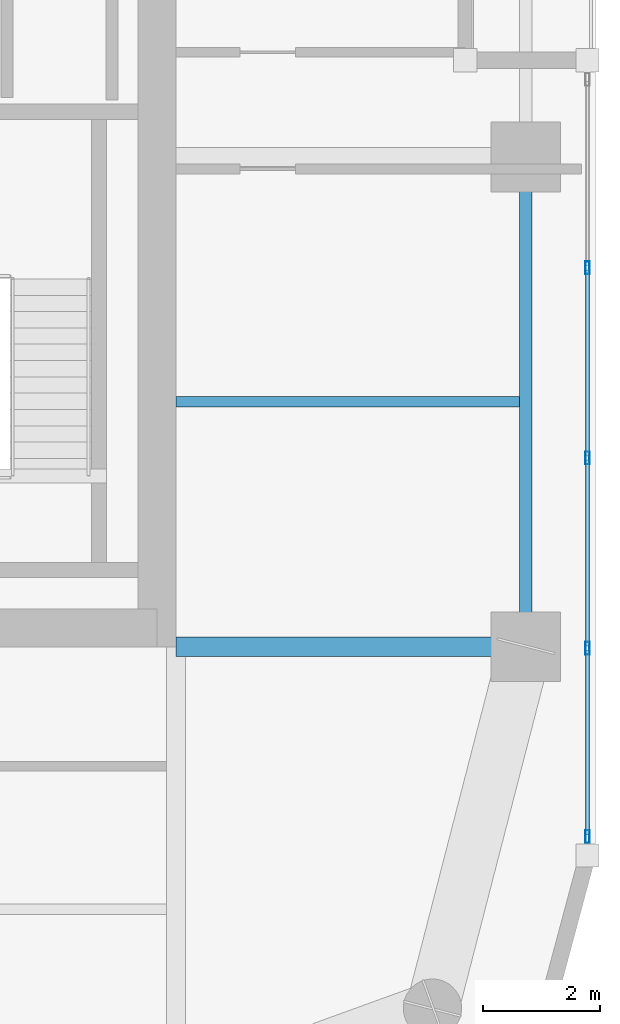
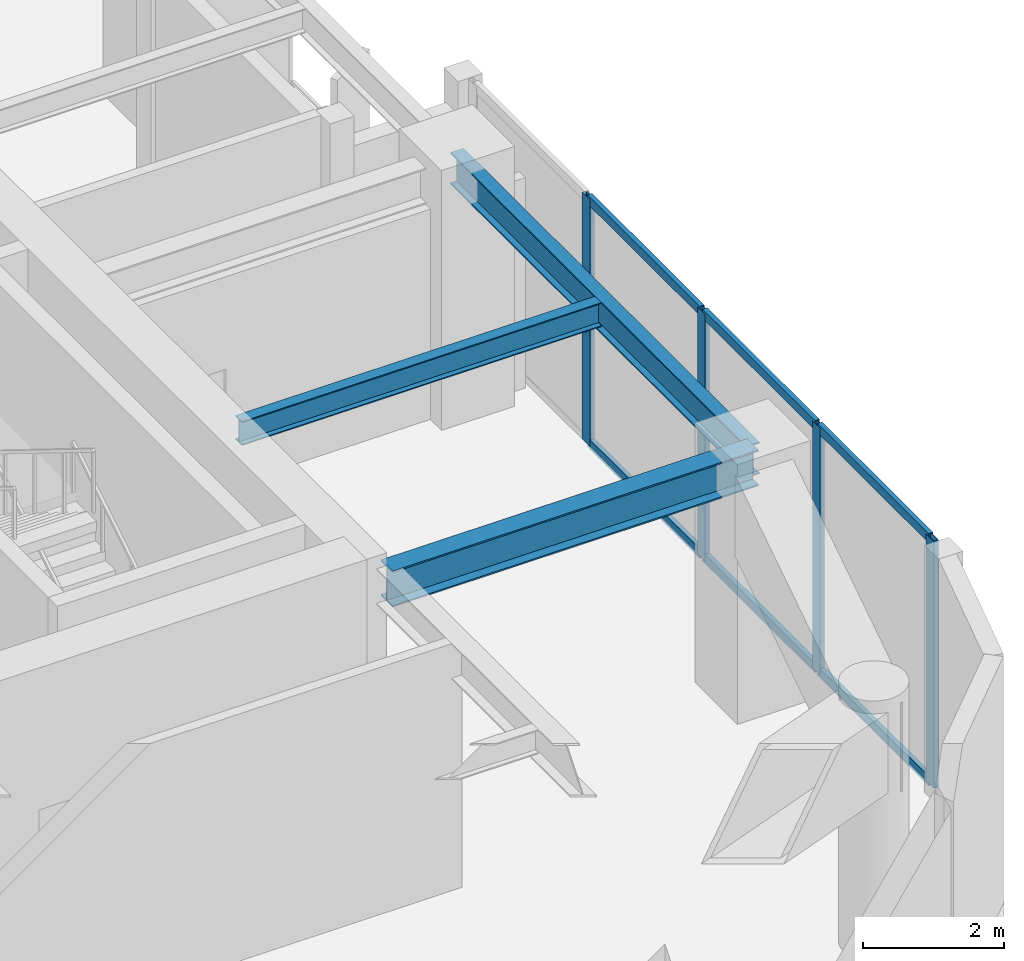
# One storey, part 4 of 21: 10 members, 3 beams, 1 element without a shape of its own.
"""IFC4 building model written with IfcOpenShell, lengths in metres."""

from ifc_helpers import new_model, si_unit, direction, frame, origin, origin_2d, place, context, subcontext, project, spatial, hollow_rectangle, i_section, extrude, material, layer, layer_set, material_profile, profile_set, type_object, element, aggregate, save


model = new_model("IFC4")

# Units and contexts
model_context = context("Model", 3, precision=1e-05, world=origin(), true_north=direction((0.0, 1.0)))
body_context = subcontext(model_context, "Body", "Model", "MODEL_VIEW")
ifc_project = project(units=[si_unit("LENGTHUNIT", "METRE"), si_unit("AREAUNIT", "SQUARE_METRE"), si_unit("VOLUMEUNIT", "CUBIC_METRE"), si_unit("PLANEANGLEUNIT", "RADIAN"), si_unit("MASSUNIT", "GRAM", prefix="KILO")], contexts=[model_context])

# Site, building, storey
site_placement = place(None, origin())
site = spatial("IfcSite", under=ifc_project, at=site_placement, CompositionType="ELEMENT")
building_placement = place(site_placement, origin())
building = spatial("IfcBuilding", under=site, at=building_placement, Name="Kiyonajd Concourse Tower", CompositionType="ELEMENT")
storey_placement = place(building_placement, frame((0.0, 0.0, 181.800048828125)))
storey = spatial("IfcBuildingStorey", under=building, at=storey_placement, Name="L46", CompositionType="ELEMENT", Elevation=181.800048828125)

# Beams
ifc_material_1 = material(Name="Steel ASTM A992 Grade 50", Category="steel")
ifc_material_profile_1 = material_profile(ifc_material_1, i_section(OverallWidth=0.180908203125, OverallDepth=0.4169921875, WebThickness=0.010986328125, FlangeThickness=0.018310546875, at=origin_2d()), Name="W410X85")
ifc_profile_set_1 = profile_set([ifc_material_profile_1], Name="Steel ASTM A992 Grade 50")
beam_type_1 = type_object("IfcBeamType", Name="BM-JST-410", PredefinedType="JOIST", material=ifc_profile_set_1)
beam_1_placement = place(storey_placement, frame((63.60009765625, 31.800048828125, 4.071533203125), z_axis=(1.0, 0.0, 0.0), x_axis=(0.0, 1.0, 0.0)))
element("IfcBeam", 1, at=beam_1_placement, inside=storey, type_object=beam_type_1, Name="L46 East Secondary Floor Joist", PredefinedType="JOIST", context=body_context, shape_type="SweptSolid", body=[
    extrude(i_section(OverallWidth=0.180908203125, OverallDepth=0.4169921875, WebThickness=0.010986328125, FlangeThickness=0.018310546875, at=origin_2d()), origin(), (0.0, 0.0, 1.0), 5.892822265625),
])
ifc_material_profile_2 = material_profile(ifc_material_1, i_section(OverallWidth=0.214111328125, OverallDepth=0.549072265625, WebThickness=0.0146484375, FlangeThickness=0.023681640625, at=origin_2d()), Name="W530X138")
ifc_profile_set_2 = profile_set([ifc_material_profile_2], Name="Steel ASTM A992 Grade 50")
beam_type_2 = type_object("IfcBeamType", Name="BM-SPAN-530A", PredefinedType="SPANDREL", material=ifc_profile_set_2)
beam_2_placement = place(storey_placement, frame((69.60009765625, 27.60009765625, 4.00537109375), z_axis=(0.0, 1.0, 0.0), x_axis=(-1.0, 0.0, 0.0)))
element("IfcBeam", 2, at=beam_2_placement, inside=storey, type_object=beam_type_2, Name="L46 Perimeter Bundled Tube Spandrel", PredefinedType="SPANDREL", context=body_context, shape_type="SweptSolid", body=[
    extrude(i_section(OverallWidth=0.214111328125, OverallDepth=0.549072265625, WebThickness=0.0146484375, FlangeThickness=0.023681640625, at=origin_2d()), origin(), (0.0, 0.0, 1.0), 8.39990234375),
])
ifc_material_profile_3 = material_profile(ifc_material_1, i_section(OverallWidth=0.326904296875, OverallDepth=0.6220703125, WebThickness=0.015380859375, FlangeThickness=0.0244140625, at=origin_2d()), Name="W610X195")
ifc_profile_set_3 = profile_set([ifc_material_profile_3], Name="Steel ASTM A992 Grade 50")
beam_type_3 = type_object("IfcBeamType", Name="BM-TWR-610A", PredefinedType="BEAM", material=ifc_profile_set_3)
beam_3_placement = place(storey_placement, frame((63.60009765625, 27.60009765625, 3.968994140625), z_axis=(1.0, 0.0, 0.0), x_axis=(0.0, 1.0, 0.0)))
element("IfcBeam", 3, at=beam_3_placement, inside=storey, type_object=beam_type_3, Name="L46 East Lease Girder", PredefinedType="BEAM", context=body_context, shape_type="SweptSolid", body=[
    extrude(i_section(OverallWidth=0.326904296875, OverallDepth=0.6220703125, WebThickness=0.015380859375, FlangeThickness=0.0244140625, at=origin_2d()), origin(), (0.0, 0.0, 1.0), 6.0),
])

# Curtain wall, members
ifc_material_2 = material(Name="Thermally Broken Anodised Aluminium", Category="aluminium")
ifc_layer = layer(ifc_material_2, 0.179931640625)
ifc_layer_set = layer_set([ifc_layer], Name="Thermally Broken Anodised Aluminium")
curtain_wall_type = type_object("IfcCurtainWallType", Name="CW-SYS-05", PredefinedType="NOTDEFINED", material=ifc_layer_set)
curtain_wall_placement = place(storey_placement, origin())
curtain_wall = element("IfcCurtainWall", 4, at=curtain_wall_placement, inside=storey, type_object=curtain_wall_type, Name="L46 Unitised Curtain Wall CW5", PredefinedType="NOTDEFINED")
ifc_material_profile_4 = material_profile(ifc_material_2, hollow_rectangle(XDim=0.074951171875, YDim=0.219970703125, WallThickness=0.0048828125, at=origin_2d()), Name="MULL-75x220")
ifc_profile_set_4 = profile_set([ifc_material_profile_4], Name="Thermally Broken Anodised Aluminium")
member_type_1 = type_object("IfcMemberType", Name="MB-CW-MULL2", PredefinedType="MULLION", material=ifc_profile_set_4)
member_1_placement = place(storey_placement, frame((70.659912109375, 34.1044921875, 0.0), z_axis=(0.0, 0.0, 1.0), x_axis=(1.0, 0.0, 0.0)))
member_1 = element("IfcMember", 5, at=member_1_placement, type_object=member_type_1, Name="CW5 mullion 2", PredefinedType="MULLION", context=body_context, shape_type="SweptSolid", body=[
    extrude(hollow_rectangle(XDim=0.074951171875, YDim=0.219970703125, WallThickness=0.0048828125, at=origin_2d()), origin(), (0.0, 0.0, 1.0), 4.280029296875),
])
member_2_placement = place(storey_placement, frame((70.659912109375, 30.839111328125, 0.0), z_axis=(0.0, 0.0, 1.0), x_axis=(1.0, 0.0, 0.0)))
member_2 = element("IfcMember", 6, at=member_2_placement, type_object=member_type_1, Name="CW5 mullion 3", PredefinedType="MULLION", context=body_context, shape_type="SweptSolid", body=[
    extrude(hollow_rectangle(XDim=0.074951171875, YDim=0.219970703125, WallThickness=0.0048828125, at=origin_2d()), origin(), (0.0, 0.0, 1.0), 4.280029296875),
])
member_3_placement = place(storey_placement, frame((70.659912109375, 27.57373046875, 0.0), z_axis=(0.0, 0.0, 1.0), x_axis=(1.0, 0.0, 0.0)))
member_3 = element("IfcMember", 7, at=member_3_placement, type_object=member_type_1, Name="CW5 mullion 4", PredefinedType="MULLION", context=body_context, shape_type="SweptSolid", body=[
    extrude(hollow_rectangle(XDim=0.074951171875, YDim=0.219970703125, WallThickness=0.0048828125, at=origin_2d()), origin(), (0.0, 0.0, 1.0), 4.280029296875),
])
member_4_placement = place(storey_placement, frame((70.659912109375, 24.345947265625, 0.0), z_axis=(0.0, 0.0, 1.0), x_axis=(1.0, 0.0, 0.0)))
member_4 = element("IfcMember", 8, at=member_4_placement, type_object=member_type_1, Name="CW5 mullion 5", PredefinedType="MULLION", context=body_context, shape_type="SweptSolid", body=[
    extrude(hollow_rectangle(XDim=0.074951171875, YDim=0.219970703125, WallThickness=0.0048828125, at=origin_2d()), origin(), (0.0, 0.0, 1.0), 4.280029296875),
])
ifc_material_profile_5 = material_profile(ifc_material_2, hollow_rectangle(XDim=0.074951171875, YDim=0.159912109375, WallThickness=0.0048828125, at=origin_2d()), Name="TRAN-75x160")
ifc_profile_set_5 = profile_set([ifc_material_profile_5], Name="Thermally Broken Anodised Aluminium")
member_type_2 = type_object("IfcMemberType", Name="MB-CW-TRAN2", PredefinedType="USERDEFINED", material=ifc_profile_set_5)
member_5_placement = place(storey_placement, frame((70.659912109375, 34.067138671875, 0.037353515625), z_axis=(0.0, -1.0, 0.0), x_axis=(1.0, 0.0, 0.0)))
member_5 = element("IfcMember", 9, at=member_5_placement, type_object=member_type_2, Name="CW5 transom 2.1", ObjectType="TRANSOM", PredefinedType="USERDEFINED", context=body_context, shape_type="SweptSolid", body=[
    extrude(hollow_rectangle(XDim=0.074951171875, YDim=0.159912109375, WallThickness=0.0048828125, at=origin_2d()), origin(), (0.0, 0.0, 1.0), 3.1904296875),
])
member_6_placement = place(storey_placement, frame((70.659912109375, 34.067138671875, 4.242431640625), z_axis=(0.0, -1.0, 0.0), x_axis=(1.0, 0.0, 0.0)))
member_6 = element("IfcMember", 10, at=member_6_placement, type_object=member_type_2, Name="CW5 transom 2.2", ObjectType="TRANSOM", PredefinedType="USERDEFINED", context=body_context, shape_type="SweptSolid", body=[
    extrude(hollow_rectangle(XDim=0.074951171875, YDim=0.159912109375, WallThickness=0.0048828125, at=origin_2d()), origin(), (0.0, 0.0, 1.0), 3.1904296875),
])
member_7_placement = place(storey_placement, frame((70.659912109375, 30.8017578125, 0.037353515625), z_axis=(0.0, -1.0, 0.0), x_axis=(1.0, 0.0, 0.0)))
member_7 = element("IfcMember", 11, at=member_7_placement, type_object=member_type_2, Name="CW5 transom 3.1", ObjectType="TRANSOM", PredefinedType="USERDEFINED", context=body_context, shape_type="SweptSolid", body=[
    extrude(hollow_rectangle(XDim=0.074951171875, YDim=0.159912109375, WallThickness=0.0048828125, at=origin_2d()), origin(), (0.0, 0.0, 1.0), 3.1904296875),
])
member_8_placement = place(storey_placement, frame((70.659912109375, 30.8017578125, 4.242431640625), z_axis=(0.0, -1.0, 0.0), x_axis=(1.0, 0.0, 0.0)))
member_8 = element("IfcMember", 12, at=member_8_placement, type_object=member_type_2, Name="CW5 transom 3.2", ObjectType="TRANSOM", PredefinedType="USERDEFINED", context=body_context, shape_type="SweptSolid", body=[
    extrude(hollow_rectangle(XDim=0.074951171875, YDim=0.159912109375, WallThickness=0.0048828125, at=origin_2d()), origin(), (0.0, 0.0, 1.0), 3.1904296875),
])
member_9_placement = place(storey_placement, frame((70.659912109375, 27.536376953125, 0.037353515625), z_axis=(0.0, -1.0, 0.0), x_axis=(1.0, 0.0, 0.0)))
member_9 = element("IfcMember", 13, at=member_9_placement, type_object=member_type_2, Name="CW5 transom 4.1", ObjectType="TRANSOM", PredefinedType="USERDEFINED", context=body_context, shape_type="SweptSolid", body=[
    extrude(hollow_rectangle(XDim=0.074951171875, YDim=0.159912109375, WallThickness=0.0048828125, at=origin_2d()), origin(), (0.0, 0.0, 1.0), 3.153076171875),
])
member_10_placement = place(storey_placement, frame((70.659912109375, 27.536376953125, 4.242431640625), z_axis=(0.0, -1.0, 0.0), x_axis=(1.0, 0.0, 0.0)))
member_10 = element("IfcMember", 14, at=member_10_placement, type_object=member_type_2, Name="CW5 transom 4.2", ObjectType="TRANSOM", PredefinedType="USERDEFINED", context=body_context, shape_type="SweptSolid", body=[
    extrude(hollow_rectangle(XDim=0.074951171875, YDim=0.159912109375, WallThickness=0.0048828125, at=origin_2d()), origin(), (0.0, 0.0, 1.0), 3.153076171875),
])
aggregate(curtain_wall, [member_1, member_2, member_3, member_4, member_5, member_6, member_7, member_8, member_9, member_10])

save(model, "model.ifc")
